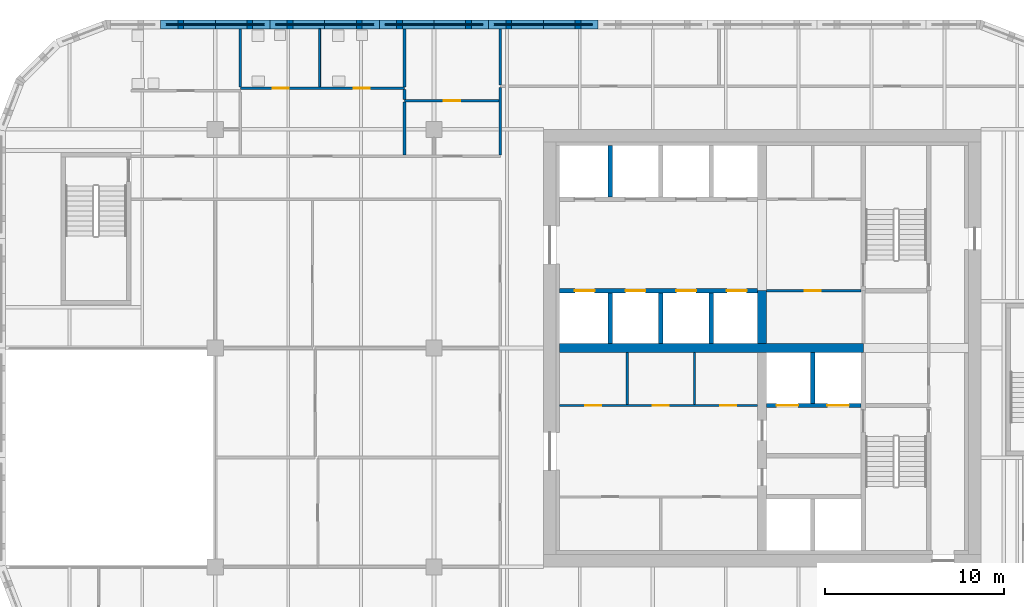
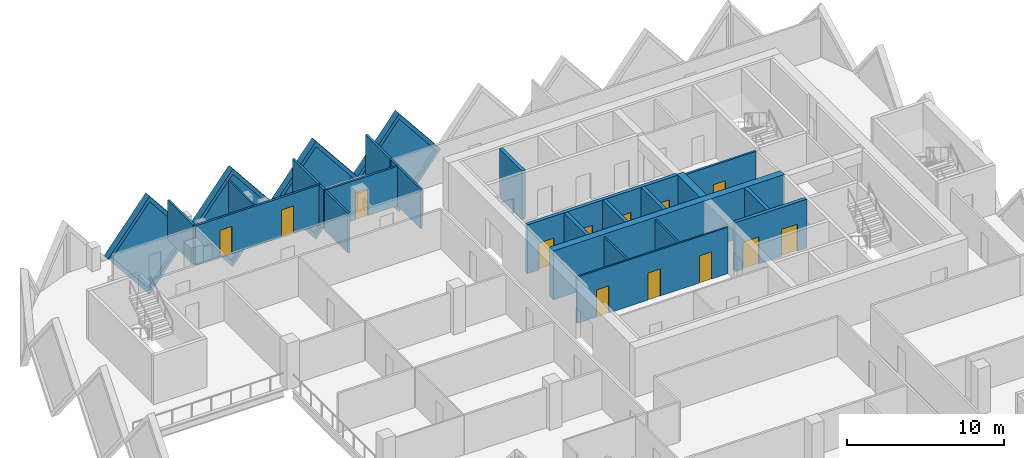
# One storey, part 8 of 13: 26 walls, 13 doors, 4 plates, 17 openings.
"""IFC4 building model written with IfcOpenShell, lengths in metres."""

from ifc_helpers import new_model, si_unit, direction, frame, frame_2d, origin, place, context, subcontext, project, spatial, polyline, rectangle, outline, extrude, faceted_brep, source, transform, mapped, material, layer, layer_set, type_object, element, fill, save


model = new_model("IFC4")

# Units and contexts
model_context = context("Model", 3, precision=1e-05, world=origin(), true_north=direction((0.0, 1.0)))
body_context = subcontext(model_context, "Body", "Model", "MODEL_VIEW")
ifc_project = project(units=[si_unit("LENGTHUNIT", "METRE"), si_unit("AREAUNIT", "SQUARE_METRE"), si_unit("VOLUMEUNIT", "CUBIC_METRE"), si_unit("PLANEANGLEUNIT", "RADIAN"), si_unit("MASSUNIT", "GRAM", prefix="KILO")], contexts=[model_context])

# Site, building, storey
site_placement = place(None, origin())
site = spatial("IfcSite", under=ifc_project, at=site_placement, CompositionType="ELEMENT")
building_placement = place(site_placement, origin())
building = spatial("IfcBuilding", under=site, at=building_placement, Name="Tessera Gate Towers", CompositionType="ELEMENT")
storey_placement = place(building_placement, frame((0.0, 0.0, 120.199951171875)))
storey = spatial("IfcBuildingStorey", under=building, at=storey_placement, Name="L29", CompositionType="ELEMENT", Elevation=120.199951171875)

# Wall, openings, doors
ifc_material_1 = material(Name="Concrete C40/50", Category="concrete")
ifc_layer_1 = layer(ifc_material_1, 0.25)
ifc_layer_set_1 = layer_set([ifc_layer_1], Name="CORE ENCLOSURE WALL 250")
wall_type_1 = type_object("IfcWallType", Name="CORE ENCLOSURE WALL 250", PredefinedType="SOLIDWALL", material=ifc_layer_set_1)
wall_1_placement = place(storey_placement, frame((31.39990234375, 39.800048828125, 0.0), z_axis=(0.0, 0.0, 1.0), x_axis=(1.0, 0.0, 0.0)))
wall_1 = element("IfcWall", 1, at=wall_1_placement, inside=storey, type_object=wall_type_1, Name="L29 shaft and stair enclosure wall", PredefinedType="SOLIDWALL", context=body_context, shape_type="SweptSolid", body=[
    extrude(rectangle(XDim=11.050048828125, YDim=0.25, at=frame_2d((5.52490234375, 0.0))), origin(), (0.0, 0.0, 1.0), 3.800048828125),
])
shared_shape_1 = source(origin(), body_context, "Body", "SweptSolid", [
    extrude(rectangle(XDim=1.10009765625, YDim=2.10009765625, at=frame_2d((0.550048828125, 1.050048828125))), frame((0.0, 0.135009765625, 0.0), z_axis=(0.0, -1.0, 0.0), x_axis=(1.0, 0.0, 0.0)), (0.0, 0.0, 1.0), 0.27001953125),
])
opening_1_placement = place(wall_1_placement, frame((0.862548828125, 0.0, 0.0)))
opening_1 = element("IfcOpeningElement", 2, at=opening_1_placement, cuts=wall_1, Name="Opening LD-HR1", PredefinedType="OPENING", context=body_context, shape_type="MappedRepresentation", body=[
    mapped(shared_shape_1, transform((0.0, 0.0, 0.0), scale=1.0)),
])
opening_2_placement = place(wall_1_placement, frame((3.6875, 0.0, 0.0)))
opening_2 = element("IfcOpeningElement", 3, at=opening_2_placement, cuts=wall_1, Name="Opening LD-HR2", PredefinedType="OPENING", context=body_context, shape_type="MappedRepresentation", body=[
    mapped(shared_shape_1, transform((0.0, 0.0, 0.0), scale=1.0)),
])
opening_3_placement = place(wall_1_placement, frame((6.512451171875, 0.0, 0.0)))
opening_3 = element("IfcOpeningElement", 4, at=opening_3_placement, cuts=wall_1, Name="Opening LD-HR3", PredefinedType="OPENING", context=body_context, shape_type="MappedRepresentation", body=[
    mapped(shared_shape_1, transform((0.0, 0.0, 0.0), scale=1.0)),
])
opening_4_placement = place(wall_1_placement, frame((9.33740234375, 0.0, 0.0)))
opening_4 = element("IfcOpeningElement", 5, at=opening_4_placement, cuts=wall_1, Name="Opening LD-HR4", PredefinedType="OPENING", context=body_context, shape_type="MappedRepresentation", body=[
    mapped(shared_shape_1, transform((0.0, 0.0, 0.0), scale=1.0)),
])
ifc_material_2 = material(Name="Stainless steel", Category="steel")
door_type_1 = type_object("IfcDoorType", Name="CORE DOOR LD 1100x2100", OperationType="DOUBLE_DOOR_SLIDING", PredefinedType="DOOR", material=ifc_material_2)
shared_shape_2 = source(origin(), body_context, "Body", "SweptSolid", [
    extrude(rectangle(XDim=1.10009765625, YDim=2.10009765625, at=frame_2d((0.550048828125, 1.050048828125))), frame((0.0, 0.02490234375, 0.0), z_axis=(0.0, -1.0, 0.0), x_axis=(1.0, 0.0, 0.0)), (0.0, 0.0, 1.0), 0.050048828125),
])
door_1_placement = place(opening_1_placement, origin())
door_1 = element("IfcDoor", 6, at=door_1_placement, inside=storey, type_object=door_type_1, Name="Landing door HR1 L29", OperationType="DOUBLE_DOOR_SLIDING", OverallHeight=2.10009765625, OverallWidth=1.10009765625, PredefinedType="DOOR", context=body_context, shape_type="MappedRepresentation", body=[
    mapped(shared_shape_2, transform((0.0, 0.0, 0.0), scale=1.0)),
])
fill(opening_1, door_1)
door_2_placement = place(opening_2_placement, origin())
door_2 = element("IfcDoor", 7, at=door_2_placement, inside=storey, type_object=door_type_1, Name="Landing door HR2 L29", OperationType="DOUBLE_DOOR_SLIDING", OverallHeight=2.10009765625, OverallWidth=1.10009765625, PredefinedType="DOOR", context=body_context, shape_type="MappedRepresentation", body=[
    mapped(shared_shape_2, transform((0.0, 0.0, 0.0), scale=1.0)),
])
fill(opening_2, door_2)
door_3_placement = place(opening_3_placement, origin())
door_3 = element("IfcDoor", 8, at=door_3_placement, inside=storey, type_object=door_type_1, Name="Landing door HR3 L29", OperationType="DOUBLE_DOOR_SLIDING", OverallHeight=2.10009765625, OverallWidth=1.10009765625, PredefinedType="DOOR", context=body_context, shape_type="MappedRepresentation", body=[
    mapped(shared_shape_2, transform((0.0, 0.0, 0.0), scale=1.0)),
])
fill(opening_3, door_3)
door_4_placement = place(opening_4_placement, origin())
door_4 = element("IfcDoor", 9, at=door_4_placement, inside=storey, type_object=door_type_1, Name="Landing door HR4 L29", OperationType="DOUBLE_DOOR_SLIDING", OverallHeight=2.10009765625, OverallWidth=1.10009765625, PredefinedType="DOOR", context=body_context, shape_type="MappedRepresentation", body=[
    mapped(shared_shape_2, transform((0.0, 0.0, 0.0), scale=1.0)),
])
fill(opening_4, door_4)

wall_2_placement = place(storey_placement, frame((48.22509765625, 33.39990234375, 0.0), z_axis=(0.0, 0.0, 1.0), x_axis=(-1.0, 0.0, 0.0)))
wall_2 = element("IfcWall", 10, at=wall_2_placement, inside=storey, type_object=wall_type_1, Name="L29 shaft and stair enclosure wall", PredefinedType="SOLIDWALL", context=body_context, shape_type="SweptSolid", body=[
    extrude(rectangle(XDim=5.275146484375, YDim=0.25, at=frame_2d((2.6376953125, 0.0))), origin(), (0.0, 0.0, 1.0), 3.800048828125),
])
shared_shape_3 = source(origin(), body_context, "Body", "SweptSolid", [
    extrude(rectangle(XDim=1.199951171875, YDim=2.10009765625, at=frame_2d((0.60009765625, 1.050048828125))), frame((0.0, 0.135009765625, 0.0), z_axis=(0.0, -1.0, 0.0), x_axis=(1.0, 0.0, 0.0)), (0.0, 0.0, 1.0), 0.27001953125),
])
opening_5_placement = place(wall_2_placement, frame((3.512451171875, 0.0, 0.0)))
opening_5 = element("IfcOpeningElement", 11, at=opening_5_placement, cuts=wall_2, Name="Opening LD-FF1", PredefinedType="OPENING", context=body_context, shape_type="MappedRepresentation", body=[
    mapped(shared_shape_3, transform((0.0, 0.0, 0.0), scale=1.0)),
])
opening_6_placement = place(wall_2_placement, frame((0.6875, 0.0, 0.0)))
opening_6 = element("IfcOpeningElement", 12, at=opening_6_placement, cuts=wall_2, Name="Opening LD-FF2", PredefinedType="OPENING", context=body_context, shape_type="MappedRepresentation", body=[
    mapped(shared_shape_3, transform((0.0, 0.0, 0.0), scale=1.0)),
])
ifc_material_3 = material(Name="Stainless steel", Category="steel")
door_type_2 = type_object("IfcDoorType", Name="CORE DOOR LD1200 1200x2100", OperationType="DOUBLE_DOOR_SLIDING", PredefinedType="DOOR", material=ifc_material_3)
shared_shape_4 = source(origin(), body_context, "Body", "SweptSolid", [
    extrude(rectangle(XDim=1.199951171875, YDim=2.10009765625, at=frame_2d((0.60009765625, 1.050048828125))), frame((0.0, 0.02490234375, 0.0), z_axis=(0.0, -1.0, 0.0), x_axis=(1.0, 0.0, 0.0)), (0.0, 0.0, 1.0), 0.050048828125),
])
door_5_placement = place(opening_5_placement, origin())
door_5 = element("IfcDoor", 13, at=door_5_placement, inside=storey, type_object=door_type_2, Name="Landing door FF1 L29", OperationType="DOUBLE_DOOR_SLIDING", OverallHeight=2.10009765625, OverallWidth=1.199951171875, PredefinedType="DOOR", context=body_context, shape_type="MappedRepresentation", body=[
    mapped(shared_shape_4, transform((0.0, 0.0, 0.0), scale=1.0)),
])
fill(opening_5, door_5)
door_6_placement = place(opening_6_placement, origin())
door_6 = element("IfcDoor", 14, at=door_6_placement, inside=storey, type_object=door_type_2, Name="Landing door FF2 L29", OperationType="DOUBLE_DOOR_SLIDING", OverallHeight=2.10009765625, OverallWidth=1.199951171875, PredefinedType="DOOR", context=body_context, shape_type="MappedRepresentation", body=[
    mapped(shared_shape_4, transform((0.0, 0.0, 0.0), scale=1.0)),
])
fill(opening_6, door_6)

# Walls
for number, where, z_axis, x_axis, name in (
    (15, (34.22509765625, 36.85009765625, 0.0), (0.0, 0.0, 1.0), (0.0, 1.0, 0.0), "L29 shaft and stair enclosure wall"),
    (16, (37.050048828125, 36.85009765625, 0.0), (0.0, 0.0, 1.0), (0.0, 1.0, 0.0), "L29 shaft and stair enclosure wall"),
    (17, (39.875, 36.85009765625, 0.0), (0.0, 0.0, 1.0), (0.0, 1.0, 0.0), "L29 shaft and stair enclosure wall"),
):
    element("IfcWall", number, at=place(storey_placement, frame(where, z_axis=z_axis, x_axis=x_axis)), inside=storey, type_object=wall_type_1, Name=name, PredefinedType="SOLIDWALL", context=body_context, shape_type="SweptSolid", body=[
        extrude(rectangle(XDim=2.824951171875, YDim=0.25, at=frame_2d((1.41259765625, 0.0))), origin(), (0.0, 0.0, 1.0), 3.800048828125),
    ])
wall_3_placement = place(storey_placement, frame((45.52490234375, 33.52490234375, 0.0), z_axis=(0.0, 0.0, 1.0), x_axis=(0.0, 1.0, 0.0)))
element("IfcWall", 18, at=wall_3_placement, inside=storey, type_object=wall_type_1, Name="L29 shaft and stair enclosure wall", PredefinedType="SOLIDWALL", context=body_context, shape_type="SweptSolid", body=[
    extrude(rectangle(XDim=2.8251953125, YDim=0.25, at=frame_2d((1.41259765625, 0.0))), origin(), (0.0, 0.0, 1.0), 3.800048828125),
])
wall_4_placement = place(storey_placement, frame((34.22509765625, 45.02490234375, 0.0), z_axis=(0.0, 0.0, 1.0), x_axis=(0.0, 1.0, 0.0)))
element("IfcWall", 19, at=wall_4_placement, inside=storey, type_object=wall_type_1, Name="L29 shaft and stair enclosure wall", PredefinedType="SOLIDWALL", context=body_context, shape_type="SweptSolid", body=[
    extrude(rectangle(XDim=2.875, YDim=0.25, at=frame_2d((1.4375, 0.0))), origin(), (0.0, 0.0, 1.0), 3.800048828125),
])

# Wall, openings, doors
ifc_material_4 = material(Name="Gypsum board on steel studs", Category="steel")
ifc_layer_2 = layer(ifc_material_4, 0.1201171875)
ifc_layer_set_2 = layer_set([ifc_layer_2], Name="CORE PARTITION 120")
wall_type_2 = type_object("IfcWallType", Name="CORE PARTITION 120", PredefinedType="PARTITIONING", material=ifc_layer_set_2)
wall_5_placement = place(storey_placement, frame((31.39990234375, 33.39990234375, 0.0), z_axis=(0.0, 0.0, 1.0), x_axis=(1.0, 0.0, 0.0)))
wall_5 = element("IfcWall", 20, at=wall_5_placement, inside=storey, type_object=wall_type_2, Name="L29 core partition", PredefinedType="PARTITIONING", context=body_context, shape_type="SweptSolid", body=[
    extrude(rectangle(XDim=11.050048828125, YDim=0.1201171875, at=frame_2d((5.52490234375, 0.0))), origin(), (0.0, 0.0, 1.0), 3.60009765625),
])
shared_shape_5 = source(origin(), body_context, "Body", "SweptSolid", [
    extrude(rectangle(XDim=0.89990234375, YDim=2.10009765625, at=frame_2d((0.449951171875, 1.050048828125))), frame((0.0, 0.070068359375, 0.0), z_axis=(0.0, -1.0, 0.0), x_axis=(1.0, 0.0, 0.0)), (0.0, 0.0, 1.0), 0.14013671875),
])
opening_7_placement = place(wall_5_placement, frame((1.4375, 0.0, 0.0)))
opening_7 = element("IfcOpeningElement", 21, at=opening_7_placement, cuts=wall_5, Name="Opening RD-T1-21-09", PredefinedType="OPENING", context=body_context, shape_type="MappedRepresentation", body=[
    mapped(shared_shape_5, transform((0.0, 0.0, 0.0), scale=1.0)),
])
opening_8_placement = place(wall_5_placement, frame((5.199951171875, 0.0, 0.0)))
opening_8 = element("IfcOpeningElement", 22, at=opening_8_placement, cuts=wall_5, Name="Opening RD-T1-21-10", PredefinedType="OPENING", context=body_context, shape_type="MappedRepresentation", body=[
    mapped(shared_shape_5, transform((0.0, 0.0, 0.0), scale=1.0)),
])
opening_9_placement = place(wall_5_placement, frame((8.96240234375, 0.0, 0.0)))
opening_9 = element("IfcOpeningElement", 23, at=opening_9_placement, cuts=wall_5, Name="Opening RD-T1-21-11", PredefinedType="OPENING", context=body_context, shape_type="MappedRepresentation", body=[
    mapped(shared_shape_5, transform((0.0, 0.0, 0.0), scale=1.0)),
])
ifc_material_5 = material(Name="Hollow steel fire door", Category="steel")
door_type_3 = type_object("IfcDoorType", Name="CORE DOOR RD 900x2100", OperationType="NOTDEFINED", PredefinedType="DOOR", material=ifc_material_5)
shared_shape_6 = source(origin(), body_context, "Body", "SweptSolid", [
    extrude(rectangle(XDim=0.89990234375, YDim=2.10009765625, at=frame_2d((0.449951171875, 1.050048828125))), frame((0.0, 0.02490234375, 0.0), z_axis=(0.0, -1.0, 0.0), x_axis=(1.0, 0.0, 0.0)), (0.0, 0.0, 1.0), 0.050048828125),
])
door_7_placement = place(opening_7_placement, origin())
door_7 = element("IfcDoor", 24, at=door_7_placement, inside=storey, type_object=door_type_3, Name="Core room door", OperationType="SINGLE_SWING_LEFT", OverallHeight=2.10009765625, OverallWidth=0.89990234375, PredefinedType="DOOR", context=body_context, shape_type="MappedRepresentation", body=[
    mapped(shared_shape_6, transform((0.0, 0.0, 0.0), scale=1.0)),
])
fill(opening_7, door_7)
door_8_placement = place(opening_8_placement, origin())
door_8 = element("IfcDoor", 25, at=door_8_placement, inside=storey, type_object=door_type_3, Name="Core room door", OperationType="SINGLE_SWING_RIGHT", OverallHeight=2.10009765625, OverallWidth=0.89990234375, PredefinedType="DOOR", context=body_context, shape_type="MappedRepresentation", body=[
    mapped(shared_shape_6, transform((0.0, 0.0, 0.0), scale=1.0)),
])
fill(opening_8, door_8)
door_9_placement = place(opening_9_placement, origin())
door_9 = element("IfcDoor", 26, at=door_9_placement, inside=storey, type_object=door_type_3, Name="Core room door", OperationType="SINGLE_SWING_RIGHT", OverallHeight=2.10009765625, OverallWidth=0.89990234375, PredefinedType="DOOR", context=body_context, shape_type="MappedRepresentation", body=[
    mapped(shared_shape_6, transform((0.0, 0.0, 0.0), scale=1.0)),
])
fill(opening_9, door_9)

# Walls
for number, where, z_axis, x_axis, name in (
    (27, (35.175048828125, 33.4599609375, 0.0), (0.0, 0.0, 1.0), (0.0, 1.0, 0.0), "L29 core partition"),
    (28, (38.925048828125, 33.4599609375, 0.0), (0.0, 0.0, 1.0), (0.0, 1.0, 0.0), "L29 core partition"),
):
    element("IfcWall", number, at=place(storey_placement, frame(where, z_axis=z_axis, x_axis=x_axis)), inside=storey, type_object=wall_type_2, Name=name, PredefinedType="PARTITIONING", context=body_context, shape_type="SweptSolid", body=[
        extrude(rectangle(XDim=2.89013671875, YDim=0.1201171875, at=frame_2d((1.445068359375, 0.0))), origin(), (0.0, 0.0, 1.0), 3.60009765625),
    ])
ifc_material_6 = material(Name="Concrete C60/75", Category="concrete")
ifc_layer_3 = layer(ifc_material_6, 0.5)
ifc_layer_set_3 = layer_set([ifc_layer_3], Name="CORE SPINE WALL 500 C60/75")
wall_type_3 = type_object("IfcWallType", Name="CORE SPINE WALL 500 C60/75", PredefinedType="SHEAR", material=ifc_layer_set_3)
wall_6_placement = place(storey_placement, frame((31.39990234375, 36.60009765625, 0.0), z_axis=(0.0, 0.0, 1.0), x_axis=(1.0, 0.0, 0.0)))
element("IfcWall", 29, at=wall_6_placement, inside=storey, type_object=wall_type_3, Name="Core wall spine L29", PredefinedType="SHEAR", context=body_context, shape_type="SweptSolid", body=[
    extrude(rectangle(XDim=16.9501953125, YDim=0.5, at=frame_2d((8.47509765625, 0.0))), origin(), (0.0, 0.0, 1.0), 3.800048828125),
])
wall_7_placement = place(storey_placement, frame((42.699951171875, 36.85009765625, 0.0), z_axis=(0.0, 0.0, 1.0), x_axis=(0.0, 1.0, 0.0)))
element("IfcWall", 30, at=wall_7_placement, inside=storey, type_object=wall_type_3, Name="Core wall spine L29", PredefinedType="SHEAR", context=body_context, shape_type="SweptSolid", body=[
    extrude(rectangle(XDim=2.949951171875, YDim=0.5, at=frame_2d((1.47509765625, 0.0))), origin(), (0.0, 0.0, 1.0), 3.800048828125),
])
ifc_material_7 = material(Name="Gypsum board on steel studs, mineral wool", Category="steel")
ifc_layer_4 = layer(ifc_material_7, 0.14990234375)
ifc_layer_set_4 = layer_set([ifc_layer_4], Name="CORRIDOR WALL 150")
wall_type_4 = type_object("IfcWallType", Name="CORRIDOR WALL 150", PredefinedType="PARTITIONING", material=ifc_layer_set_4)
wall_8_placement = place(storey_placement, frame((28.10009765625, 47.3759765625, 0.0), z_axis=(0.0, 0.0, 1.0), x_axis=(0.0, 1.0, 0.0)))
element("IfcWall", 31, at=wall_8_placement, inside=storey, type_object=wall_type_4, Name="T1-L29-PW-045", PredefinedType="PARTITIONING", context=body_context, shape_type="SweptSolid", body=[
    extrude(rectangle(XDim=3.748046875, YDim=0.14990234375, at=frame_2d((1.8740234375, 0.0))), origin(), (0.0, 0.0, 1.0), 3.067138671875),
])
ifc_material_8 = material(Name="Gypsum board on steel studs", Category="steel")
ifc_layer_5 = layer(ifc_material_8, 0.10009765625)
ifc_layer_set_5 = layer_set([ifc_layer_5], Name="PARTITION 100")
wall_type_5 = type_object("IfcWallType", Name="PARTITION 100", PredefinedType="PARTITIONING", material=ifc_layer_set_5)
wall_9_placement = place(storey_placement, frame((18.02001953125, 51.176025390625, 0.0), z_axis=(0.0, 0.0, 1.0), x_axis=(0.0, 1.0, 0.0)))
element("IfcWall", 32, at=wall_9_placement, inside=storey, type_object=wall_type_5, Name="T1-L29-PW-053", PredefinedType="PARTITIONING", context=body_context, shape_type="SweptSolid", body=[
    extrude(rectangle(XDim=3.223876953125, YDim=0.10009765625, at=frame_2d((1.61181640625, 0.0))), origin(), (0.0, 0.0, 1.0), 3.067138671875),
])

# Wall, opening, door
ifc_material_9 = material(Name="Gypsum board on steel studs", Category="steel")
ifc_layer_6 = layer(ifc_material_9, 0.14990234375)
ifc_layer_set_6 = layer_set([ifc_layer_6], Name="SERVICE ROOM WALL 150")
wall_type_6 = type_object("IfcWallType", Name="SERVICE ROOM WALL 150", PredefinedType="PARTITIONING", material=ifc_layer_set_6)
wall_10_placement = place(storey_placement, frame((48.22509765625, 39.800048828125, 0.0), z_axis=(0.0, 0.0, 1.0), x_axis=(-1.0, 0.0, 0.0)))
wall_10 = element("IfcWall", 33, at=wall_10_placement, inside=storey, type_object=wall_type_6, Name="L29 service room wall", PredefinedType="PARTITIONING", context=body_context, shape_type="SweptSolid", body=[
    extrude(rectangle(XDim=5.275146484375, YDim=0.14990234375, at=frame_2d((2.6376953125, 0.0))), origin(), (0.0, 0.0, 1.0), 3.60009765625),
])
shared_shape_7 = source(origin(), body_context, "Body", "SweptSolid", [
    extrude(rectangle(XDim=0.89990234375, YDim=2.10009765625, at=frame_2d((0.449951171875, 1.050048828125))), frame((0.0, 0.0849609375, 0.0), z_axis=(0.0, -1.0, 0.0), x_axis=(1.0, 0.0, 0.0)), (0.0, 0.0, 1.0), 0.169921875),
])
opening_10_placement = place(wall_10_placement, frame((2.25, 0.0, 0.0)))
opening_10 = element("IfcOpeningElement", 34, at=opening_10_placement, cuts=wall_10, Name="Opening RD-T1-21-13", PredefinedType="OPENING", context=body_context, shape_type="MappedRepresentation", body=[
    mapped(shared_shape_7, transform((0.0, 0.0, 0.0), scale=1.0)),
])
door_10_placement = place(opening_10_placement, origin())
door_10 = element("IfcDoor", 35, at=door_10_placement, inside=storey, type_object=door_type_3, Name="Core room door", OperationType="SINGLE_SWING_RIGHT", OverallHeight=2.10009765625, OverallWidth=0.89990234375, PredefinedType="DOOR", context=body_context, shape_type="MappedRepresentation", body=[
    mapped(shared_shape_6, transform((0.0, 0.0, 0.0), scale=1.0)),
])
fill(opening_10, door_10)

# Wall
ifc_material_10 = material(Name="Gypsum board on steel studs, mineral wool", Category="steel")
ifc_layer_7 = layer(ifc_material_10, 0.14990234375)
ifc_layer_set_7 = layer_set([ifc_layer_7], Name="TENANCY WALL 150")
wall_type_7 = type_object("IfcWallType", Name="TENANCY WALL 150", PredefinedType="PARTITIONING", material=ifc_layer_set_7)
wall_11_placement = place(storey_placement, frame((22.75, 47.3759765625, 0.0), z_axis=(0.0, 0.0, 1.0), x_axis=(0.0, 1.0, 0.0)))
element("IfcWall", 36, at=wall_11_placement, inside=storey, type_object=wall_type_7, Name="T1-L29-PW-044", PredefinedType="PARTITIONING", context=body_context, shape_type="SweptSolid", body=[
    extrude(rectangle(XDim=2.947998046875, YDim=0.14990234375, at=frame_2d((1.47412109375, 0.0))), origin(), (0.0, 0.0, 1.0), 3.067138671875),
])

# Wall, opening, door
wall_12_placement = place(storey_placement, frame((22.75, 50.39990234375, 0.0), z_axis=(0.0, 0.0, 1.0), x_axis=(1.0, 0.0, 0.0)))
wall_12 = element("IfcWall", 37, at=wall_12_placement, inside=storey, type_object=wall_type_7, Name="T1-L29-PW-048", PredefinedType="PARTITIONING", context=body_context, shape_type="SweptSolid", body=[
    extrude(rectangle(XDim=5.27392578125, YDim=0.14990234375, at=frame_2d((2.636962890625, 0.0))), origin(), (0.0, 0.0, 1.0), 3.067138671875),
])
opening_11_placement = place(wall_12_placement, frame((2.199951171875, 0.0, 0.0)))
opening_11 = element("IfcOpeningElement", 38, at=opening_11_placement, cuts=wall_12, Name="Opening D190-A10-04", PredefinedType="OPENING", context=body_context, shape_type="MappedRepresentation", body=[
    mapped(shared_shape_7, transform((0.0, 0.0, 0.0), scale=1.0)),
])
ifc_material_11 = material(Name="Timber door leaf in steel frame", Category="steel")
door_type_4 = type_object("IfcDoorType", Name="INTERNAL DOOR 900 NOT RATED", OperationType="NOTDEFINED", PredefinedType="DOOR", material=ifc_material_11)
door_11_placement = place(opening_11_placement, origin())
door_11 = element("IfcDoor", 39, at=door_11_placement, inside=storey, type_object=door_type_4, Name="T1-L29-PD-006", OperationType="SINGLE_SWING_LEFT", OverallHeight=2.10009765625, OverallWidth=0.89990234375, PredefinedType="DOOR", context=body_context, shape_type="MappedRepresentation", body=[
    mapped(shared_shape_6, transform((0.0, 0.0, 0.0), scale=1.0)),
])
fill(opening_11, door_11)

# Wall
wall_13_placement = place(storey_placement, frame((22.75, 50.47607421875, 0.0), z_axis=(0.0, 0.0, 1.0), x_axis=(0.0, 1.0, 0.0)))
element("IfcWall", 40, at=wall_13_placement, inside=storey, type_object=wall_type_7, Name="T1-L29-PW-049", PredefinedType="PARTITIONING", context=body_context, shape_type="SweptSolid", body=[
    extrude(rectangle(XDim=0.5478515625, YDim=0.14990234375, at=frame_2d((0.27392578125, 0.0))), origin(), (0.0, 0.0, 1.0), 3.067138671875),
])

# Wall, openings, doors
wall_14_placement = place(storey_placement, frame((13.60009765625, 51.10009765625, 0.0), z_axis=(0.0, 0.0, 1.0), x_axis=(1.0, 0.0, 0.0)))
wall_14 = element("IfcWall", 41, at=wall_14_placement, inside=storey, type_object=wall_type_7, Name="T1-L29-PW-051", PredefinedType="PARTITIONING", context=body_context, shape_type="SweptSolid", body=[
    extrude(rectangle(XDim=9.14990234375, YDim=0.14990234375, at=frame_2d((4.574951171875, 0.0))), origin(), (0.0, 0.0, 1.0), 3.067138671875),
])
opening_12_placement = place(wall_14_placement, frame((1.800048828125, 0.0, 0.0)))
opening_12 = element("IfcOpeningElement", 42, at=opening_12_placement, cuts=wall_14, Name="Opening D190-A10-02", PredefinedType="OPENING", context=body_context, shape_type="MappedRepresentation", body=[
    mapped(shared_shape_7, transform((0.0, 0.0, 0.0), scale=1.0)),
])
opening_13_placement = place(wall_14_placement, frame((6.3203125, 0.0, 0.0)))
opening_13 = element("IfcOpeningElement", 43, at=opening_13_placement, cuts=wall_14, Name="Opening D190-A10-03", PredefinedType="OPENING", context=body_context, shape_type="MappedRepresentation", body=[
    mapped(shared_shape_7, transform((0.0, 0.0, 0.0), scale=1.0)),
])
door_12_placement = place(opening_12_placement, origin())
door_12 = element("IfcDoor", 44, at=door_12_placement, inside=storey, type_object=door_type_4, Name="T1-L29-PD-003", OperationType="SINGLE_SWING_LEFT", OverallHeight=2.10009765625, OverallWidth=0.89990234375, PredefinedType="DOOR", context=body_context, shape_type="MappedRepresentation", body=[
    mapped(shared_shape_6, transform((0.0, 0.0, 0.0), scale=1.0)),
])
fill(opening_12, door_12)
door_13_placement = place(opening_13_placement, origin())
door_13 = element("IfcDoor", 45, at=door_13_placement, inside=storey, type_object=door_type_4, Name="T1-L29-PD-005", OperationType="SINGLE_SWING_LEFT", OverallHeight=2.10009765625, OverallWidth=0.89990234375, PredefinedType="DOOR", context=body_context, shape_type="MappedRepresentation", body=[
    mapped(shared_shape_6, transform((0.0, 0.0, 0.0), scale=1.0)),
])
fill(opening_13, door_13)

# Walls
for number, where, z_axis, x_axis, name in (
    (46, (13.60009765625, 51.176025390625, 0.0), (0.0, 0.0, 1.0), (0.0, 1.0, 0.0), "T1-L29-PW-052"),
    (47, (22.75, 51.176025390625, 0.0), (0.0, 0.0, 1.0), (0.0, 1.0, 0.0), "T1-L29-PW-054"),
):
    element("IfcWall", number, at=place(storey_placement, frame(where, z_axis=z_axis, x_axis=x_axis)), inside=storey, type_object=wall_type_7, Name=name, PredefinedType="PARTITIONING", context=body_context, shape_type="SweptSolid", body=[
        extrude(rectangle(XDim=3.223876953125, YDim=0.14990234375, at=frame_2d((1.61181640625, 0.0))), origin(), (0.0, 0.0, 1.0), 3.067138671875),
    ])
wall_15_placement = place(storey_placement, frame((28.10009765625, 51.27587890625, 0.0), z_axis=(0.0, 0.0, 1.0), x_axis=(0.0, 1.0, 0.0)))
element("IfcWall", 48, at=wall_15_placement, inside=storey, type_object=wall_type_7, Name="T1-L29-PW-056", PredefinedType="PARTITIONING", context=body_context, shape_type="SweptSolid", body=[
    extrude(rectangle(XDim=3.1240234375, YDim=0.14990234375, at=frame_2d((1.56201171875, 0.0))), origin(), (0.0, 0.0, 1.0), 3.067138671875),
])

# Wall, opening, plate
ifc_material_12 = material(Name="Precast concrete C60/75 white", Category="concrete")
ifc_layer_8 = layer(ifc_material_12, 0.5)
ifc_layer_set_8 = layer_set([ifc_layer_8], Name="TS1 tessera")
wall_type_8 = type_object("IfcWallType", Name="TS1 tessera", PredefinedType="SOLIDWALL", material=ifc_layer_set_8)
shared_shape_8 = source(origin(), body_context, "Body", "Brep", [
    faceted_brep([(3.050048828125, -0.25, 0.0), (6.099853515625, -0.25, 3.7998046875), (6.099853515625, -0.25, 3.80029296875), (3.050048828125, -0.25, 7.60009765625), (0.0, -0.25, 3.800048828125), (0.0, 0.25, 3.800048828125), (3.050048828125, 0.25, 7.60009765625), (6.099853515625, 0.25, 3.80029296875), (6.099853515625, 0.25, 3.7998046875), (3.050048828125, 0.25, 0.0)], [[[0, 1, 2, 3, 4]], [[5, 6, 7, 8, 9]], [[9, 8, 1, 0]], [[7, 6, 3, 2]], [[6, 5, 4, 3]], [[5, 9, 0, 4]], [[1, 8, 7, 2]]]),
])
wall_16_placement = place(storey_placement, frame((27.449951171875, 54.64990234375, -3.800048828125), z_axis=(0.0, 0.0, 1.0), x_axis=(-1.0, 0.0, 0.0)))
wall_16 = element("IfcWall", 49, at=wall_16_placement, inside=storey, type_object=wall_type_8, Name="Precast tessera T1 TS1-0474", PredefinedType="SOLIDWALL", context=body_context, shape_type="MappedRepresentation", body=[
    mapped(shared_shape_8, transform((0.0, 0.0, 0.0), scale=1.0)),
])
shared_shape_9 = source(origin(), body_context, "Body", "SweptSolid", [
    extrude(outline(polyline([(3.050048828125, 0.3994140625), (5.779541015625, 3.800048828125), (3.050048828125, 7.20068359375), (0.320556640625, 3.800048828125), (3.050048828125, 0.3994140625)])), frame((0.0, 0.260009765625, 0.0), z_axis=(0.0, -1.0, 0.0), x_axis=(1.0, 0.0, 0.0)), (0.0, 0.0, 1.0), 0.52001953125),
])
opening_14_placement = place(wall_16_placement, origin())
opening_14 = element("IfcOpeningElement", 50, at=opening_14_placement, cuts=wall_16, Name="Opening T1-PL2-0964", PredefinedType="OPENING", context=body_context, shape_type="MappedRepresentation", body=[
    mapped(shared_shape_9, transform((0.0, 0.0, 0.0), scale=1.0)),
])
ifc_material_13 = material(Name="Low-e laminated glass", Category="glass")
ifc_layer_9 = layer(ifc_material_13, 0.06005859375)
ifc_layer_set_9 = layer_set([ifc_layer_9], Name="PL2 rhombic pane")
plate_type = type_object("IfcPlateType", Name="PL2 rhombic pane", PredefinedType="SHEET", material=ifc_layer_set_9)
shared_shape_10 = source(origin(), body_context, "Body", "SweptSolid", [
    extrude(outline(polyline([(3.050048828125, 0.3994140625), (5.779541015625, 3.800048828125), (3.050048828125, 7.20068359375), (0.320556640625, 3.800048828125), (3.050048828125, 0.3994140625)])), frame((0.0, 0.030029296875, 0.0), z_axis=(0.0, -1.0, 0.0), x_axis=(1.0, 0.0, 0.0)), (0.0, 0.0, 1.0), 0.06005859375),
])
plate_1_placement = place(opening_14_placement, origin())
plate_1 = element("IfcPlate", 51, at=plate_1_placement, inside=storey, type_object=plate_type, Name="Glass pane T1 PL2-0964", PredefinedType="SHEET", context=body_context, shape_type="MappedRepresentation", body=[
    mapped(shared_shape_10, transform((0.0, 0.0, 0.0), scale=1.0)),
])
fill(opening_14, plate_1)

shared_shape_11 = source(origin(), body_context, "Body", "SweptSolid", [
    extrude(outline(polyline([(3.050048828125, 0.0), (6.10009765625, 3.800048828125), (3.050048828125, 7.60009765625), (0.0, 3.800048828125), (3.050048828125, 0.0)])), frame((0.0, 0.25, 0.0), z_axis=(0.0, -1.0, 0.0), x_axis=(1.0, 0.0, 0.0)), (0.0, 0.0, 1.0), 0.5),
])
wall_17_placement = place(storey_placement, frame((33.550048828125, 54.64990234375, -3.800048828125), z_axis=(0.0, 0.0, 1.0), x_axis=(-1.0, 0.0, 0.0)))
wall_17 = element("IfcWall", 52, at=wall_17_placement, inside=storey, type_object=wall_type_8, Name="Precast tessera T1 TS1-0473", PredefinedType="SOLIDWALL", context=body_context, shape_type="MappedRepresentation", body=[
    mapped(shared_shape_11, transform((0.0, 0.0, 0.0), scale=1.0)),
])
opening_15_placement = place(wall_17_placement, origin())
opening_15 = element("IfcOpeningElement", 53, at=opening_15_placement, cuts=wall_17, Name="Opening T1-PL2-0963", PredefinedType="OPENING", context=body_context, shape_type="MappedRepresentation", body=[
    mapped(shared_shape_9, transform((0.0, 0.0, 0.0), scale=1.0)),
])
plate_2_placement = place(opening_15_placement, origin())
plate_2 = element("IfcPlate", 54, at=plate_2_placement, inside=storey, type_object=plate_type, Name="Glass pane T1 PL2-0963", PredefinedType="SHEET", context=body_context, shape_type="MappedRepresentation", body=[
    mapped(shared_shape_10, transform((0.0, 0.0, 0.0), scale=1.0)),
])
fill(opening_15, plate_2)

wall_18_placement = place(storey_placement, frame((21.35009765625, 54.64990234375, -3.800048828125), z_axis=(0.0, 0.0, 1.0), x_axis=(-1.0, 0.0, 0.0)))
wall_18 = element("IfcWall", 55, at=wall_18_placement, inside=storey, type_object=wall_type_8, Name="Precast tessera T1 TS1-0475", PredefinedType="SOLIDWALL", context=body_context, shape_type="MappedRepresentation", body=[
    mapped(shared_shape_11, transform((0.0, 0.0, 0.0), scale=1.0)),
])
opening_16_placement = place(wall_18_placement, origin())
opening_16 = element("IfcOpeningElement", 56, at=opening_16_placement, cuts=wall_18, Name="Opening T1-PL2-0965", PredefinedType="OPENING", context=body_context, shape_type="MappedRepresentation", body=[
    mapped(shared_shape_9, transform((0.0, 0.0, 0.0), scale=1.0)),
])
plate_3_placement = place(opening_16_placement, origin())
plate_3 = element("IfcPlate", 57, at=plate_3_placement, inside=storey, type_object=plate_type, Name="Glass pane T1 PL2-0965", PredefinedType="SHEET", context=body_context, shape_type="MappedRepresentation", body=[
    mapped(shared_shape_10, transform((0.0, 0.0, 0.0), scale=1.0)),
])
fill(opening_16, plate_3)

wall_19_placement = place(storey_placement, frame((15.25, 54.64990234375, -3.800048828125), z_axis=(0.0, 0.0, 1.0), x_axis=(-1.0, 0.0, 0.0)))
wall_19 = element("IfcWall", 58, at=wall_19_placement, inside=storey, type_object=wall_type_8, Name="Precast tessera T1 TS1-0476", PredefinedType="SOLIDWALL", context=body_context, shape_type="MappedRepresentation", body=[
    mapped(shared_shape_11, transform((0.0, 0.0, 0.0), scale=1.0)),
])
opening_17_placement = place(wall_19_placement, origin())
opening_17 = element("IfcOpeningElement", 59, at=opening_17_placement, cuts=wall_19, Name="Opening T1-PL2-0966", PredefinedType="OPENING", context=body_context, shape_type="MappedRepresentation", body=[
    mapped(shared_shape_9, transform((0.0, 0.0, 0.0), scale=1.0)),
])
plate_4_placement = place(opening_17_placement, origin())
plate_4 = element("IfcPlate", 60, at=plate_4_placement, inside=storey, type_object=plate_type, Name="Glass pane T1 PL2-0966", PredefinedType="SHEET", context=body_context, shape_type="MappedRepresentation", body=[
    mapped(shared_shape_10, transform((0.0, 0.0, 0.0), scale=1.0)),
])
fill(opening_17, plate_4)

save(model, "model.ifc")
